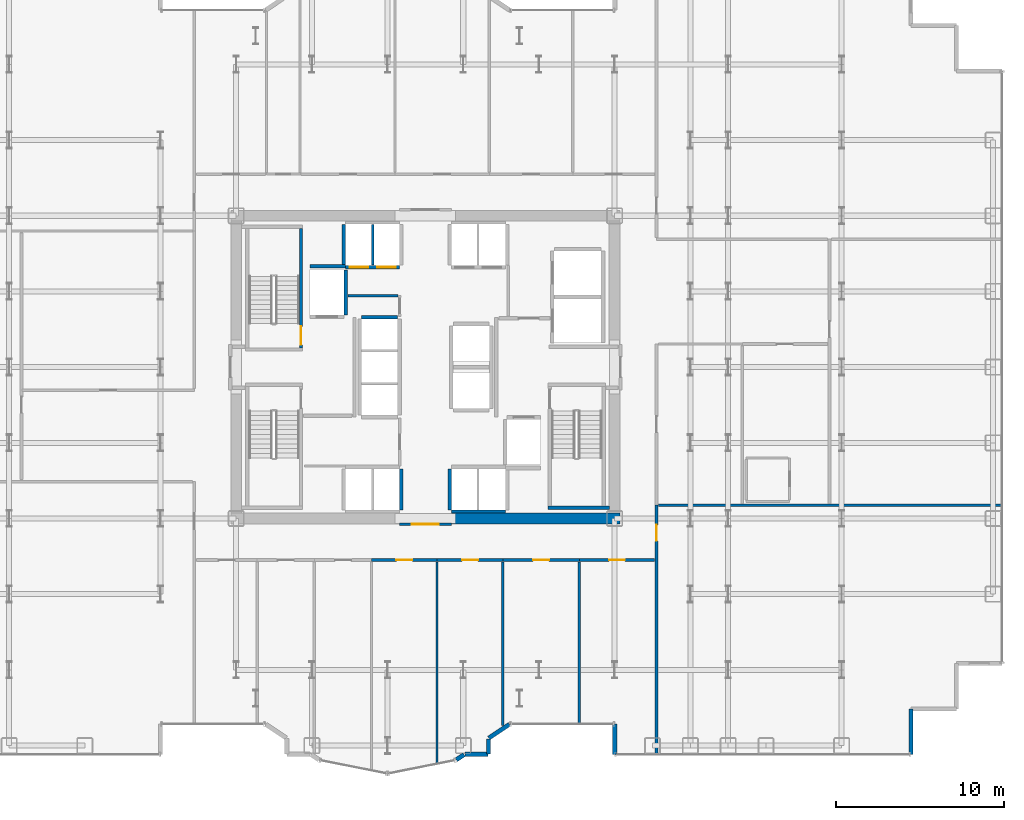
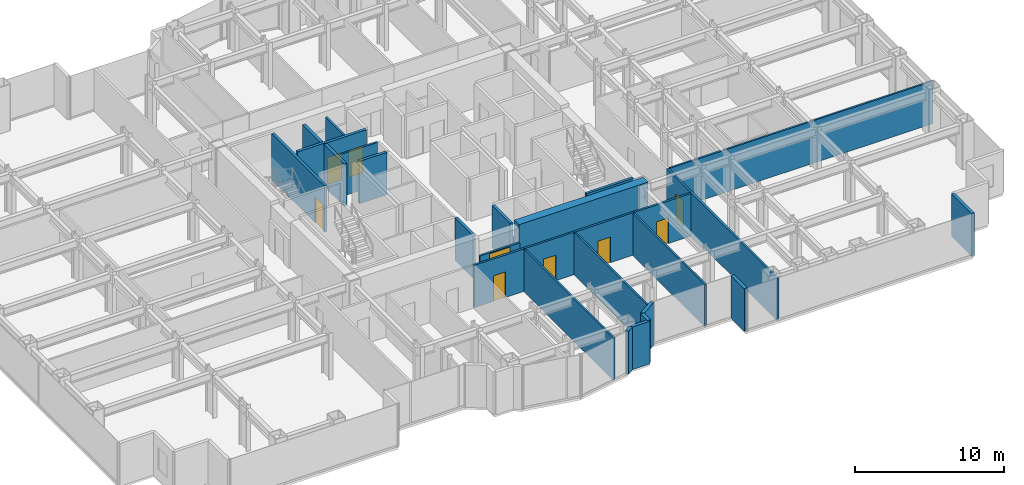
# One storey, part 21 of 26: 29 walls, 9 doors, 9 openings.
"""IFC4 building model written with IfcOpenShell, lengths in metres."""

from ifc_helpers import new_model, si_unit, direction, frame, frame_2d, origin, place, context, subcontext, project, spatial, rectangle, extrude, source, transform, mapped, material, layer, layer_set, type_object, element, fill, save


model = new_model("IFC4")

# Units and contexts
model_context = context("Model", 3, precision=1e-05, world=origin(), true_north=direction((0.0, 1.0)))
body_context = subcontext(model_context, "Body", "Model", "MODEL_VIEW")
ifc_project = project(units=[si_unit("LENGTHUNIT", "METRE"), si_unit("AREAUNIT", "SQUARE_METRE"), si_unit("VOLUMEUNIT", "CUBIC_METRE"), si_unit("PLANEANGLEUNIT", "RADIAN"), si_unit("MASSUNIT", "GRAM", prefix="KILO")], contexts=[model_context])

# Site, building, storey
site_placement = place(None, origin())
site = spatial("IfcSite", under=ifc_project, at=site_placement, CompositionType="ELEMENT")
building_placement = place(site_placement, origin())
building = spatial("IfcBuilding", under=site, at=building_placement, Name="Nefas-Gora Pilgrimage Tower", CompositionType="ELEMENT")
storey_placement = place(building_placement, frame((0.0, 0.0, 82.39990234375)))
storey = spatial("IfcBuildingStorey", under=building, at=storey_placement, Name="L19", CompositionType="ELEMENT", Elevation=82.39990234375)

# Walls
ifc_material_1 = material(Name="Concrete C60/75", Category="concrete")
ifc_layer_1 = layer(ifc_material_1, 0.64990234375)
ifc_layer_set_1 = layer_set([ifc_layer_1], Name="Concrete C60/75")
wall_type_1 = type_object("IfcWallType", Name="SW-CORE-650", PredefinedType="SHEAR", material=ifc_layer_set_1)
shared_shape_1 = source(origin(), body_context, "Body", "SweptSolid", [
    extrude(rectangle(XDim=10.02490234375, YDim=0.64990234375, at=frame_2d((5.012451171875, 0.0))), origin(), (0.0, 0.0, 1.0), 3.800048828125),
])
wall_1_placement = place(storey_placement, frame((1.550048828125, -9.0, 0.0), z_axis=(0.0, 0.0, 1.0), x_axis=(1.0, 0.0, 0.0)))
element("IfcWall", 1, at=wall_1_placement, inside=storey, type_object=wall_type_1, Name="L19 Core Shear Wall S-East", PredefinedType="SHEAR", context=body_context, shape_type="MappedRepresentation", body=[
    mapped(shared_shape_1, transform((0.0, 0.0, 0.0), x_axis=(1.0, 0.0, 0.0), y_axis=(0.0, 1.0, 0.0), z_axis=(0.0, 0.0, 1.0), scale=1.0)),
])
ifc_material_2 = material(Name="Precast concrete C40/50", Category="concrete")
ifc_layer_2 = layer(ifc_material_2, 0.260009765625)
ifc_layer_set_2 = layer_set([ifc_layer_2], Name="Precast concrete C40/50")
wall_type_2 = type_object("IfcWallType", Name="EW-PORTAL-260", PredefinedType="SOLIDWALL", material=ifc_layer_set_2)
shared_shape_2 = source(origin(), body_context, "Body", "SweptSolid", [
    extrude(rectangle(XDim=1.800048828125, YDim=0.260009765625, at=frame_2d((0.89990234375, 0.0))), origin(), (0.0, 0.0, 1.0), 3.5),
])
wall_2_placement = place(storey_placement, frame((11.25, -21.219970703125, 0.0), z_axis=(0.0, 0.0, 1.0), x_axis=(0.0, -1.0, 0.0)))
element("IfcWall", 2, at=wall_2_placement, inside=storey, type_object=wall_type_2, Name="L19 Lobe Shoulder Precast Spandrel Pier 1", PredefinedType="SOLIDWALL", context=body_context, shape_type="MappedRepresentation", body=[
    mapped(shared_shape_2, transform((0.0, 0.0, 0.0), x_axis=(1.0, 0.0, 0.0), y_axis=(0.0, 1.0, 0.0), z_axis=(0.0, 0.0, 1.0), scale=1.0)),
])
ifc_material_3 = material(Name="Precast concrete C45/55", Category="concrete")
ifc_layer_3 = layer(ifc_material_3, 0.239990234375)
ifc_layer_set_3 = layer_set([ifc_layer_3], Name="Precast concrete C45/55")
wall_type_3 = type_object("IfcWallType", Name="EW-SERR-240", PredefinedType="SHEAR", material=ifc_layer_set_3)
shared_shape_3 = source(origin(), body_context, "Body", "SweptSolid", [
    extrude(rectangle(XDim=2.699951171875, YDim=0.239990234375, at=frame_2d((1.35009765625, 0.0))), origin(), (0.0, 0.0, 1.0), 3.5),
])
wall_3_placement = place(storey_placement, frame((28.8701171875, -23.02001953125, 0.0), z_axis=(0.0, 0.0, 1.0), x_axis=(0.0, 1.0, 0.0)))
element("IfcWall", 3, at=wall_3_placement, inside=storey, type_object=wall_type_3, Name="L19 Serrated Corner Shear Pier Wall 2", PredefinedType="SHEAR", context=body_context, shape_type="MappedRepresentation", body=[
    mapped(shared_shape_3, transform((0.0, 0.0, 0.0), x_axis=(1.0, 0.0, 0.0), y_axis=(0.0, 1.0, 0.0), z_axis=(0.0, 0.0, 1.0), scale=1.0)),
])
shared_shape_4 = source(origin(), body_context, "Body", "SweptSolid", [
    extrude(rectangle(XDim=1.468994140625, YDim=0.260009765625, at=frame_2d((0.734375, 0.0))), origin(), (0.0, 0.0, 1.0), 3.5),
])
wall_4_placement = place(storey_placement, frame((3.773193359375, -22.0517578125, 0.0), z_axis=(0.0, 0.0, 1.0), x_axis=(0.831461760506, 0.555581983884, 0.0)))
element("IfcWall", 4, at=wall_4_placement, inside=storey, type_object=wall_type_2, Name="L19 Lobe Shoulder Precast Spandrel Pier 36", PredefinedType="SOLIDWALL", context=body_context, shape_type="MappedRepresentation", body=[
    mapped(shared_shape_4, transform((0.0, 0.0, 0.0), x_axis=(1.0, 0.0, 0.0), y_axis=(0.0, 1.0, 0.0), z_axis=(0.0, 0.0, 1.0), scale=1.0)),
])
shared_shape_5 = source(origin(), body_context, "Body", "SweptSolid", [
    extrude(rectangle(XDim=0.896728515625, YDim=0.260009765625, at=frame_2d((0.4482421875, 0.0))), origin(), (0.0, 0.0, 1.0), 3.5),
])
wall_5_placement = place(storey_placement, frame((3.75, -22.991943359375, 0.0), z_axis=(0.0, 0.0, 1.0), x_axis=(0.0, 1.0, 0.0)))
element("IfcWall", 5, at=wall_5_placement, inside=storey, type_object=wall_type_2, Name="L19 Lobe Shoulder Precast Spandrel Pier 35", PredefinedType="SOLIDWALL", context=body_context, shape_type="MappedRepresentation", body=[
    mapped(shared_shape_5, transform((0.0, 0.0, 0.0), x_axis=(1.0, 0.0, 0.0), y_axis=(0.0, 1.0, 0.0), z_axis=(0.0, 0.0, 1.0), scale=1.0)),
])
shared_shape_6 = source(origin(), body_context, "Body", "SweptSolid", [
    extrude(rectangle(XDim=1.369873046875, YDim=0.260009765625, at=frame_2d((0.68505859375, 0.0))), origin(), (0.0, 0.0, 1.0), 3.5),
])
wall_6_placement = place(storey_placement, frame((2.35205078125, -23.02001953125, 0.0), z_axis=(0.0, 0.0, 1.0), x_axis=(1.0, 0.0, 0.0)))
element("IfcWall", 6, at=wall_6_placement, inside=storey, type_object=wall_type_2, Name="L19 Lobe Shoulder Precast Spandrel Pier 34", PredefinedType="SOLIDWALL", context=body_context, shape_type="MappedRepresentation", body=[
    mapped(shared_shape_6, transform((0.0, 0.0, 0.0), x_axis=(1.0, 0.0, 0.0), y_axis=(0.0, 1.0, 0.0), z_axis=(0.0, 0.0, 1.0), scale=1.0)),
])
shared_shape_7 = source(origin(), body_context, "Body", "SweptSolid", [
    extrude(rectangle(XDim=0.5654296875, YDim=0.260009765625, at=frame_2d((0.28271484375, 0.0))), origin(), (0.0, 0.0, 1.0), 3.5),
])
wall_7_placement = place(storey_placement, frame((1.83056640625, -23.349609375, 0.0), z_axis=(0.0, 0.0, 1.0), x_axis=(0.831651492666, 0.555297933317, 0.0)))
element("IfcWall", 7, at=wall_7_placement, inside=storey, type_object=wall_type_2, Name="L19 Lobe Shoulder Precast Spandrel Pier 33", PredefinedType="SOLIDWALL", context=body_context, shape_type="MappedRepresentation", body=[
    mapped(shared_shape_7, transform((0.0, 0.0, 0.0), x_axis=(1.0, 0.0, 0.0), y_axis=(0.0, 1.0, 0.0), z_axis=(0.0, 0.0, 1.0), scale=1.0)),
])
ifc_material_4 = material(Name="Concrete C45/55", Category="concrete")
ifc_layer_4 = layer(ifc_material_4, 0.199951171875)
ifc_layer_set_4 = layer_set([ifc_layer_4], Name="Concrete C45/55")
wall_type_4 = type_object("IfcWallType", Name="IW-STAIR-200", PredefinedType="SOLIDWALL", material=ifc_layer_set_4)
shared_shape_8 = source(origin(), body_context, "Body", "SweptSolid", [
    extrude(rectangle(XDim=3.6298828125, YDim=0.199951171875, at=frame_2d((1.81494140625, 0.0))), origin(), (0.0, 0.0, 1.0), 3.800048828125),
])
wall_8_placement = place(storey_placement, frame((7.300048828125, -8.35009765625, 0.0), z_axis=(0.0, 0.0, 1.0), x_axis=(1.0, 0.0, 0.0)))
element("IfcWall", 8, at=wall_8_placement, inside=storey, type_object=wall_type_4, Name="L19 Stairwell Shear Wall ST-02-far", PredefinedType="SOLIDWALL", context=body_context, shape_type="MappedRepresentation", body=[
    mapped(shared_shape_8, transform((0.0, 0.0, 0.0), x_axis=(1.0, 0.0, 0.0), y_axis=(0.0, 1.0, 0.0), z_axis=(0.0, 0.0, 1.0), scale=1.0)),
])

# Wall, opening, door
shared_shape_9 = source(origin(), body_context, "Body", "SweptSolid", [
    extrude(rectangle(XDim=7.10009765625, YDim=0.199951171875, at=frame_2d((3.550048828125, 0.0))), origin(), (0.0, 0.0, 1.0), 3.800048828125),
])
wall_9_placement = place(storey_placement, frame((-7.39990234375, 1.14990234375, 0.0), z_axis=(0.0, 0.0, 1.0), x_axis=(0.0, 1.0, 0.0)))
wall_9 = element("IfcWall", 9, at=wall_9_placement, inside=storey, type_object=wall_type_4, Name="L19 Stairwell Shear Wall ST-01-left", PredefinedType="SOLIDWALL", context=body_context, shape_type="MappedRepresentation", body=[
    mapped(shared_shape_9, transform((0.0, 0.0, 0.0), x_axis=(1.0, 0.0, 0.0), y_axis=(0.0, 1.0, 0.0), z_axis=(0.0, 0.0, 1.0), scale=1.0)),
])
opening_1_placement = place(wall_9_placement, frame((0.179931640625, 0.0, 0.0)))
opening_1 = element("IfcOpeningElement", 10, at=opening_1_placement, cuts=wall_9, Name="Opening ID-ST1", PredefinedType="OPENING", context=body_context, shape_type="SweptSolid", body=[
    extrude(rectangle(XDim=1.10009765625, YDim=2.14990234375, at=frame_2d((0.550048828125, 1.074951171875))), frame((0.0, 0.10986328125, 0.0), z_axis=(0.0, -1.0, 0.0), x_axis=(1.0, 0.0, 0.0)), (0.0, 0.0, 1.0), 0.219970703125),
])
ifc_material_5 = material(Name="Painted galvanised steel fire stair door", Category="steel")
door_type_1 = type_object("IfcDoorType", Name="DR-INT-STAIR-1100", OperationType="NOTDEFINED", PredefinedType="DOOR", material=ifc_material_5)
shared_shape_10 = source(origin(), body_context, "Body", "SweptSolid", [
    extrude(rectangle(XDim=1.10009765625, YDim=2.14990234375, at=frame_2d((0.550048828125, 1.074951171875))), frame((0.0, 0.02490234375, 0.0), z_axis=(0.0, -1.0, 0.0), x_axis=(1.0, 0.0, 0.0)), (0.0, 0.0, 1.0), 0.050048828125),
])
door_1_placement = place(opening_1_placement, origin())
door_1 = element("IfcDoor", 11, at=door_1_placement, inside=storey, type_object=door_type_1, Name="L19 Protected Exit Stair Door ST-01", OperationType="SINGLE_SWING_LEFT", OverallHeight=2.14990234375, OverallWidth=1.10009765625, PredefinedType="DOOR", context=body_context, shape_type="MappedRepresentation", body=[
    mapped(shared_shape_10, transform((0.0, 0.0, 0.0), x_axis=(1.0, 0.0, 0.0), y_axis=(0.0, 1.0, 0.0), z_axis=(0.0, 0.0, 1.0), scale=1.0)),
])
fill(opening_1, door_1)

# Wall
ifc_material_6 = material(Name="Concrete C40/50", Category="concrete")
ifc_layer_5 = layer(ifc_material_6, 0.219970703125)
ifc_layer_set_5 = layer_set([ifc_layer_5], Name="Concrete C40/50")
wall_type_5 = type_object("IfcWallType", Name="IW-SHAFT-220", PredefinedType="SOLIDWALL", material=ifc_layer_set_5)
shared_shape_11 = source(origin(), body_context, "Body", "SweptSolid", [
    extrude(rectangle(XDim=2.679931640625, YDim=0.219970703125, at=frame_2d((1.33984375, 0.0))), origin(), (0.0, 0.0, 1.0), 3.485107421875),
])
wall_10_placement = place(storey_placement, frame((-4.739990234375, 3.110107421875, 0.0), z_axis=(0.0, 0.0, 1.0), x_axis=(0.0, 1.0, 0.0)))
element("IfcWall", 12, at=wall_10_placement, inside=storey, type_object=wall_type_5, Name="L19 Hoistway Wall FFL-01-E", PredefinedType="SOLIDWALL", context=body_context, shape_type="MappedRepresentation", body=[
    mapped(shared_shape_11, transform((0.0, 0.0, 0.0), x_axis=(1.0, 0.0, 0.0), y_axis=(0.0, 1.0, 0.0), z_axis=(0.0, 0.0, 1.0), scale=1.0)),
])

# Wall, openings, doors
shared_shape_12 = source(origin(), body_context, "Body", "SweptSolid", [
    extrude(rectangle(XDim=3.199951171875, YDim=0.219970703125, at=frame_2d((1.60009765625, 0.0))), origin(), (0.0, 0.0, 1.0), 3.485107421875),
])
wall_11_placement = place(storey_placement, frame((-4.75, 5.93994140625, 0.0), z_axis=(0.0, 0.0, 1.0), x_axis=(1.0, 0.0, 0.0)))
wall_11 = element("IfcWall", 13, at=wall_11_placement, inside=storey, type_object=wall_type_5, Name="L19 Hoistway Wall PL1-W-S", PredefinedType="SOLIDWALL", context=body_context, shape_type="MappedRepresentation", body=[
    mapped(shared_shape_12, transform((0.0, 0.0, 0.0), x_axis=(1.0, 0.0, 0.0), y_axis=(0.0, 1.0, 0.0), z_axis=(0.0, 0.0, 1.0), scale=1.0)),
])
opening_2_placement = place(wall_11_placement, frame((0.25, 0.0, 0.0)))
opening_2 = element("IfcOpeningElement", 14, at=opening_2_placement, cuts=wall_11, Name="Opening LD-01", PredefinedType="OPENING", context=body_context, shape_type="SweptSolid", body=[
    extrude(rectangle(XDim=1.10009765625, YDim=2.199951171875, at=frame_2d((0.550048828125, 1.10009765625))), frame((0.0, 0.119873046875, 0.0), z_axis=(0.0, -1.0, 0.0), x_axis=(1.0, 0.0, 0.0)), (0.0, 0.0, 1.0), 0.239990234375),
])
opening_3_placement = place(wall_11_placement, frame((1.875, 0.0, 0.0)))
opening_3 = element("IfcOpeningElement", 15, at=opening_3_placement, cuts=wall_11, Name="Opening LD-01", PredefinedType="OPENING", context=body_context, shape_type="SweptSolid", body=[
    extrude(rectangle(XDim=1.10009765625, YDim=2.199951171875, at=frame_2d((0.550048828125, 1.10009765625))), frame((0.0, 0.119873046875, 0.0), z_axis=(0.0, -1.0, 0.0), x_axis=(1.0, 0.0, 0.0)), (0.0, 0.0, 1.0), 0.239990234375),
])
ifc_material_7 = material(Name="Brushed stainless sliding lift landing door")
door_type_2 = type_object("IfcDoorType", Name="DR-LIFT-PASS-1100", OperationType="DOUBLE_DOOR_SLIDING", PredefinedType="DOOR", material=ifc_material_7)
shared_shape_13 = source(origin(), body_context, "Body", "SweptSolid", [
    extrude(rectangle(XDim=1.10009765625, YDim=2.199951171875, at=frame_2d((0.550048828125, 1.10009765625))), frame((0.0, 0.02490234375, 0.0), z_axis=(0.0, -1.0, 0.0), x_axis=(1.0, 0.0, 0.0)), (0.0, 0.0, 1.0), 0.050048828125),
])
door_2_placement = place(opening_2_placement, origin())
door_2 = element("IfcDoor", 16, at=door_2_placement, inside=storey, type_object=door_type_2, Name="L19 Sliding Lift Landing Door PL1-01", OperationType="DOUBLE_DOOR_SLIDING", OverallHeight=2.199951171875, OverallWidth=1.10009765625, PredefinedType="DOOR", context=body_context, shape_type="MappedRepresentation", body=[
    mapped(shared_shape_13, transform((0.0, 0.0, 0.0), x_axis=(1.0, 0.0, 0.0), y_axis=(0.0, 1.0, 0.0), z_axis=(0.0, 0.0, 1.0), scale=1.0)),
])
fill(opening_2, door_2)
door_3_placement = place(opening_3_placement, origin())
door_3 = element("IfcDoor", 17, at=door_3_placement, inside=storey, type_object=door_type_2, Name="L19 Sliding Lift Landing Door PL1-02", OperationType="DOUBLE_DOOR_SLIDING", OverallHeight=2.199951171875, OverallWidth=1.10009765625, PredefinedType="DOOR", context=body_context, shape_type="MappedRepresentation", body=[
    mapped(shared_shape_13, transform((0.0, 0.0, 0.0), x_axis=(1.0, 0.0, 0.0), y_axis=(0.0, 1.0, 0.0), z_axis=(0.0, 0.0, 1.0), scale=1.0)),
])
fill(opening_3, door_3)

# Walls
ifc_material_8 = material(Name="Gypsum acoustic stud partition")
ifc_layer_6 = layer(ifc_material_8, 0.159912109375)
ifc_layer_set_6 = layer_set([ifc_layer_6], Name="Gypsum acoustic stud partition")
wall_type_6 = type_object("IfcWallType", Name="IW-CORR-160", PredefinedType="PARTITIONING", material=ifc_layer_set_6)
shared_shape_14 = source(origin(), body_context, "Body", "SweptSolid", [
    extrude(rectangle(XDim=3.199951171875, YDim=0.159912109375, at=frame_2d((1.60009765625, 0.0))), origin(), (0.0, 0.0, 1.0), 2.375),
])
wall_12_placement = place(storey_placement, frame((1.550048828125, -8.580078125, 0.0), z_axis=(0.0, 0.0, 1.0), x_axis=(1.0, 0.0, 0.0)))
element("IfcWall", 18, at=wall_12_placement, inside=storey, type_object=wall_type_6, Name="L19 Hoistway Wall PL2-E-S", PredefinedType="PARTITIONING", context=body_context, shape_type="MappedRepresentation", body=[
    mapped(shared_shape_14, transform((0.0, 0.0, 0.0), x_axis=(1.0, 0.0, 0.0), y_axis=(0.0, 1.0, 0.0), z_axis=(0.0, 0.0, 1.0), scale=1.0)),
])
shared_shape_15 = source(origin(), body_context, "Body", "SweptSolid", [
    extrude(rectangle(XDim=2.429931640625, YDim=0.219970703125, at=frame_2d((1.21484375, 0.0))), origin(), (0.0, 0.0, 1.0), 3.485107421875),
])
for number, where, z_axis, x_axis, name in (
    (19, (-4.860107421875, 8.489990234375, 0.0), (0.0, 0.0, 1.0), (0.0, -1.0, 0.0), "L19 Hoistway Wall PL1-W-W"),
    (20, (-1.43994140625, -8.489990234375, 0.0), (0.0, 0.0, 1.0), (0.0, 1.0, 0.0), "L19 Hoistway Wall PL2-W-E"),
    (21, (1.43994140625, -6.06005859375, 0.0), (0.0, 0.0, 1.0), (0.0, -1.0, 0.0), "L19 Hoistway Wall PL2-E-W"),
):
    element("IfcWall", number, at=place(storey_placement, frame(where, z_axis=z_axis, x_axis=x_axis)), inside=storey, type_object=wall_type_5, Name=name, PredefinedType="SOLIDWALL", context=body_context, shape_type="MappedRepresentation", body=[
        mapped(shared_shape_15, transform((0.0, 0.0, 0.0), x_axis=(1.0, 0.0, 0.0), y_axis=(0.0, 1.0, 0.0), z_axis=(0.0, 0.0, 1.0), scale=1.0)),
    ])
ifc_material_9 = material(Name="Gypsum twin-stud partition")
ifc_layer_7 = layer(ifc_material_9, 0.139892578125)
ifc_layer_set_7 = layer_set([ifc_layer_7], Name="Gypsum twin-stud partition")
wall_type_7 = type_object("IfcWallType", Name="IW-UNIT-140", PredefinedType="PARTITIONING", material=ifc_layer_set_7)
shared_shape_16 = source(origin(), body_context, "Body", "SweptSolid", [
    extrude(rectangle(XDim=2.429931640625, YDim=0.139892578125, at=frame_2d((1.21484375, 0.0))), origin(), (0.0, 0.0, 1.0), 3.485107421875),
])
wall_13_placement = place(storey_placement, frame((-3.125, 6.06005859375, 0.0), z_axis=(0.0, 0.0, 1.0), x_axis=(0.0, 1.0, 0.0)))
element("IfcWall", 22, at=wall_13_placement, inside=storey, type_object=wall_type_7, Name="L19 Hoistway Wall PL1-W-DIV", PredefinedType="PARTITIONING", context=body_context, shape_type="MappedRepresentation", body=[
    mapped(shared_shape_16, transform((0.0, 0.0, 0.0), x_axis=(1.0, 0.0, 0.0), y_axis=(0.0, 1.0, 0.0), z_axis=(0.0, 0.0, 1.0), scale=1.0)),
])
shared_shape_17 = source(origin(), body_context, "Body", "SweptSolid", [
    extrude(rectangle(XDim=2.130126953125, YDim=0.219970703125, at=frame_2d((1.06494140625, 0.0))), origin(), (0.0, 0.0, 1.0), 3.485107421875),
])
wall_14_placement = place(storey_placement, frame((-1.659912109375, 2.9599609375, 0.0), z_axis=(0.0, 0.0, 1.0), x_axis=(-1.0, 0.0, 0.0)))
element("IfcWall", 23, at=wall_14_placement, inside=storey, type_object=wall_type_5, Name="L19 Hoistway Wall PL3-03-N", PredefinedType="SOLIDWALL", context=body_context, shape_type="MappedRepresentation", body=[
    mapped(shared_shape_17, transform((0.0, 0.0, 0.0), x_axis=(1.0, 0.0, 0.0), y_axis=(0.0, 1.0, 0.0), z_axis=(0.0, 0.0, 1.0), scale=1.0)),
])
shared_shape_18 = source(origin(), body_context, "Body", "SweptSolid", [
    extrude(rectangle(XDim=2.09521484375, YDim=0.219970703125, at=frame_2d((1.047607421875, 0.0))), origin(), (0.0, 0.0, 1.0), 3.485107421875),
])
wall_15_placement = place(storey_placement, frame((-6.85009765625, 6.0, 0.0), z_axis=(0.0, 0.0, 1.0), x_axis=(1.0, 0.0, 0.0)))
element("IfcWall", 24, at=wall_15_placement, inside=storey, type_object=wall_type_5, Name="L19 Riser Shaft Wall 1", PredefinedType="SOLIDWALL", context=body_context, shape_type="MappedRepresentation", body=[
    mapped(shared_shape_18, transform((0.0, 0.0, 0.0), x_axis=(1.0, 0.0, 0.0), y_axis=(0.0, 1.0, 0.0), z_axis=(0.0, 0.0, 1.0), scale=1.0)),
])

# Wall, opening, door
shared_shape_19 = source(origin(), body_context, "Body", "SweptSolid", [
    extrude(rectangle(XDim=3.08984375, YDim=0.159912109375, at=frame_2d((1.544921875, 0.0))), origin(), (0.0, 0.0, 1.0), 2.375),
])
wall_16_placement = place(storey_placement, frame((-1.544921875, -9.35009765625, 0.0), z_axis=(0.0, 0.0, 1.0), x_axis=(1.0, 0.0, 0.0)))
wall_16 = element("IfcWall", 25, at=wall_16_placement, inside=storey, type_object=wall_type_6, Name="L19 Central Lift Lobby South Portal Wall 14", PredefinedType="PARTITIONING", context=body_context, shape_type="MappedRepresentation", body=[
    mapped(shared_shape_19, transform((0.0, 0.0, 0.0), x_axis=(1.0, 0.0, 0.0), y_axis=(0.0, 1.0, 0.0), z_axis=(0.0, 0.0, 1.0), scale=1.0)),
])
opening_4_placement = place(wall_16_placement, frame((0.7451171875, 0.0, 0.0)))
opening_4 = element("IfcOpeningElement", 26, at=opening_4_placement, cuts=wall_16, Name="Opening ID-HL1", PredefinedType="OPENING", context=body_context, shape_type="SweptSolid", body=[
    extrude(rectangle(XDim=1.60009765625, YDim=2.300048828125, at=frame_2d((0.800048828125, 1.14990234375))), frame((0.0, 0.08984375, 0.0), z_axis=(0.0, -1.0, 0.0), x_axis=(1.0, 0.0, 0.0)), (0.0, 0.0, 1.0), 0.179931640625),
])
ifc_material_10 = material(Name="Double acoustic timber assembly hall door", Category="wood")
door_type_3 = type_object("IfcDoorType", Name="DR-INT-HALL-1600", OperationType="DOUBLE_DOOR_SINGLE_SWING", PredefinedType="DOOR", material=ifc_material_10)
shared_shape_20 = source(origin(), body_context, "Body", "SweptSolid", [
    extrude(rectangle(XDim=1.60009765625, YDim=2.300048828125, at=frame_2d((0.800048828125, 1.14990234375))), frame((0.0, 0.02490234375, 0.0), z_axis=(0.0, -1.0, 0.0), x_axis=(1.0, 0.0, 0.0)), (0.0, 0.0, 1.0), 0.050048828125),
])
door_4_placement = place(opening_4_placement, origin())
door_4 = element("IfcDoor", 27, at=door_4_placement, inside=storey, type_object=door_type_3, Name="L19 Central Lift Lobby South Portal Door 5", OperationType="DOUBLE_DOOR_SINGLE_SWING", OverallHeight=2.300048828125, OverallWidth=1.60009765625, PredefinedType="DOOR", context=body_context, shape_type="MappedRepresentation", body=[
    mapped(shared_shape_20, transform((0.0, 0.0, 0.0), x_axis=(1.0, 0.0, 0.0), y_axis=(0.0, 1.0, 0.0), z_axis=(0.0, 0.0, 1.0), scale=1.0)),
])
fill(opening_4, door_4)

# Walls
shared_shape_21 = source(origin(), body_context, "Body", "SweptSolid", [
    extrude(rectangle(XDim=2.9501953125, YDim=0.139892578125, at=frame_2d((1.47509765625, 0.0))), origin(), (0.0, 0.0, 1.0), 3.485107421875),
])
wall_17_placement = place(storey_placement, frame((-4.590087890625, 4.25, 0.0), z_axis=(0.0, 0.0, 1.0), x_axis=(1.0, 0.0, 0.0)))
element("IfcWall", 28, at=wall_17_placement, inside=storey, type_object=wall_type_7, Name="L19 Housekeeping and Linen Store Partition Wall 21", PredefinedType="PARTITIONING", context=body_context, shape_type="MappedRepresentation", body=[
    mapped(shared_shape_21, transform((0.0, 0.0, 0.0), x_axis=(1.0, 0.0, 0.0), y_axis=(0.0, 1.0, 0.0), z_axis=(0.0, 0.0, 1.0), scale=1.0)),
])
shared_shape_22 = source(origin(), body_context, "Body", "SweptSolid", [
    extrude(rectangle(XDim=20.429931640625, YDim=0.139892578125, at=frame_2d((10.21484375, 0.0))), origin(), (0.0, 0.0, 1.0), 3.485107421875),
])
wall_18_placement = place(storey_placement, frame((13.860107421875, -8.205078125, 0.0), z_axis=(0.0, 0.0, 1.0), x_axis=(1.0, 0.0, 0.0)))
element("IfcWall", 29, at=wall_18_placement, inside=storey, type_object=wall_type_7, Name="L19 Pilgrim Fellowship Seminar Room Partition Wall 35", PredefinedType="PARTITIONING", context=body_context, shape_type="MappedRepresentation", body=[
    mapped(shared_shape_22, transform((0.0, 0.0, 0.0), x_axis=(1.0, 0.0, 0.0), y_axis=(0.0, 1.0, 0.0), z_axis=(0.0, 0.0, 1.0), scale=1.0)),
])

# Wall, opening, door
shared_shape_23 = source(origin(), body_context, "Body", "SweptSolid", [
    extrude(rectangle(XDim=14.844970703125, YDim=0.159912109375, at=frame_2d((7.42236328125, 0.0))), origin(), (0.0, 0.0, 1.0), 3.485107421875),
])
wall_19_placement = place(storey_placement, frame((13.739990234375, -23.0400390625, 0.0), z_axis=(0.0, 0.0, 1.0), x_axis=(0.0, 1.0, 0.0)))
wall_19 = element("IfcWall", 30, at=wall_19_placement, inside=storey, type_object=wall_type_6, Name="L19 Pilgrim Fellowship Seminar Room Partition Wall 34", PredefinedType="PARTITIONING", context=body_context, shape_type="MappedRepresentation", body=[
    mapped(shared_shape_23, transform((0.0, 0.0, 0.0), x_axis=(1.0, 0.0, 0.0), y_axis=(0.0, 1.0, 0.0), z_axis=(0.0, 0.0, 1.0), scale=1.0)),
])
opening_5_placement = place(wall_19_placement, frame((12.71240234375, 0.0, 0.0)))
opening_5 = element("IfcOpeningElement", 31, at=opening_5_placement, cuts=wall_19, Name="Opening ID-GR1", PredefinedType="OPENING", context=body_context, shape_type="SweptSolid", body=[
    extrude(rectangle(XDim=0.949951171875, YDim=2.10009765625, at=frame_2d((0.47509765625, 1.050048828125))), frame((0.0, 0.08984375, 0.0), z_axis=(0.0, -1.0, 0.0), x_axis=(1.0, 0.0, 0.0)), (0.0, 0.0, 1.0), 0.179931640625),
])
ifc_material_11 = material(Name="Solid core oak fire-rated guest entrance door")
door_type_4 = type_object("IfcDoorType", Name="DR-INT-GUEST-950", OperationType="NOTDEFINED", PredefinedType="DOOR", material=ifc_material_11)
shared_shape_24 = source(origin(), body_context, "Body", "SweptSolid", [
    extrude(rectangle(XDim=0.949951171875, YDim=2.10009765625, at=frame_2d((0.47509765625, 1.050048828125))), frame((0.0, 0.02490234375, 0.0), z_axis=(0.0, -1.0, 0.0), x_axis=(1.0, 0.0, 0.0)), (0.0, 0.0, 1.0), 0.050048828125),
])
door_5_placement = place(opening_5_placement, origin())
door_5 = element("IfcDoor", 32, at=door_5_placement, inside=storey, type_object=door_type_4, Name="L19 Pilgrim Fellowship Seminar Room Door 14", OperationType="SINGLE_SWING_LEFT", OverallHeight=2.10009765625, OverallWidth=0.949951171875, PredefinedType="DOOR", context=body_context, shape_type="MappedRepresentation", body=[
    mapped(shared_shape_24, transform((0.0, 0.0, 0.0), x_axis=(1.0, 0.0, 0.0), y_axis=(0.0, 1.0, 0.0), z_axis=(0.0, 0.0, 1.0), scale=1.0)),
])
fill(opening_5, door_5)

# Wall
shared_shape_25 = source(origin(), body_context, "Body", "SweptSolid", [
    extrude(rectangle(XDim=9.64990234375, YDim=0.139892578125, at=frame_2d((4.824951171875, 0.0))), origin(), (0.0, 0.0, 1.0), 3.485107421875),
])
wall_20_placement = place(storey_placement, frame((9.14990234375, -21.239990234375, 0.0), z_axis=(0.0, 0.0, 1.0), x_axis=(0.0, 1.0, 0.0)))
element("IfcWall", 33, at=wall_20_placement, inside=storey, type_object=wall_type_7, Name="L19 Pilgrim Contemplative Lounge Partition Wall 63", PredefinedType="PARTITIONING", context=body_context, shape_type="MappedRepresentation", body=[
    mapped(shared_shape_25, transform((0.0, 0.0, 0.0), x_axis=(1.0, 0.0, 0.0), y_axis=(0.0, 1.0, 0.0), z_axis=(0.0, 0.0, 1.0), scale=1.0)),
])

# Wall, opening, door
shared_shape_26 = source(origin(), body_context, "Body", "SweptSolid", [
    extrude(rectangle(XDim=3.905029296875, YDim=0.159912109375, at=frame_2d((1.95263671875, 0.0))), origin(), (0.0, 0.0, 1.0), 3.485107421875),
])
wall_21_placement = place(storey_placement, frame((-3.205078125, -11.469970703125, 0.0), z_axis=(0.0, 0.0, 1.0), x_axis=(1.0, 0.0, 0.0)))
wall_21 = element("IfcWall", 34, at=wall_21_placement, inside=storey, type_object=wall_type_6, Name="L19 Pilgrim Contemplative Lounge Partition Wall 58", PredefinedType="PARTITIONING", context=body_context, shape_type="MappedRepresentation", body=[
    mapped(shared_shape_26, transform((0.0, 0.0, 0.0), x_axis=(1.0, 0.0, 0.0), y_axis=(0.0, 1.0, 0.0), z_axis=(0.0, 0.0, 1.0), scale=1.0)),
])
opening_6_placement = place(wall_21_placement, frame((1.4775390625, 0.0, 0.0)))
opening_6 = element("IfcOpeningElement", 35, at=opening_6_placement, cuts=wall_21, Name="Opening ID-GR1", PredefinedType="OPENING", context=body_context, shape_type="SweptSolid", body=[
    extrude(rectangle(XDim=0.949951171875, YDim=2.10009765625, at=frame_2d((0.47509765625, 1.050048828125))), frame((0.0, 0.08984375, 0.0), z_axis=(0.0, -1.0, 0.0), x_axis=(1.0, 0.0, 0.0)), (0.0, 0.0, 1.0), 0.179931640625),
])
door_6_placement = place(opening_6_placement, origin())
door_6 = element("IfcDoor", 36, at=door_6_placement, inside=storey, type_object=door_type_4, Name="L19 Pilgrim Contemplative Lounge Door 27", OperationType="SINGLE_SWING_RIGHT", OverallHeight=2.10009765625, OverallWidth=0.949951171875, PredefinedType="DOOR", context=body_context, shape_type="MappedRepresentation", body=[
    mapped(shared_shape_24, transform((0.0, 0.0, 0.0), x_axis=(1.0, 0.0, 0.0), y_axis=(0.0, 1.0, 0.0), z_axis=(0.0, 0.0, 1.0), scale=1.0)),
])
fill(opening_6, door_6)

wall_22_placement = place(storey_placement, frame((0.699951171875, -11.469970703125, 0.0), z_axis=(0.0, 0.0, 1.0), x_axis=(1.0, 0.0, 0.0)))
wall_22 = element("IfcWall", 37, at=wall_22_placement, inside=storey, type_object=wall_type_6, Name="L19 Pilgrim Contemplative Lounge Partition Wall 60", PredefinedType="PARTITIONING", context=body_context, shape_type="MappedRepresentation", body=[
    mapped(shared_shape_26, transform((0.0, 0.0, 0.0), x_axis=(1.0, 0.0, 0.0), y_axis=(0.0, 1.0, 0.0), z_axis=(0.0, 0.0, 1.0), scale=1.0)),
])
opening_7_placement = place(wall_22_placement, frame((1.4775390625, 0.0, 0.0)))
opening_7 = element("IfcOpeningElement", 38, at=opening_7_placement, cuts=wall_22, Name="Opening ID-GR1", PredefinedType="OPENING", context=body_context, shape_type="SweptSolid", body=[
    extrude(rectangle(XDim=0.949951171875, YDim=2.10009765625, at=frame_2d((0.47509765625, 1.050048828125))), frame((0.0, 0.08984375, 0.0), z_axis=(0.0, -1.0, 0.0), x_axis=(1.0, 0.0, 0.0)), (0.0, 0.0, 1.0), 0.179931640625),
])
door_7_placement = place(opening_7_placement, origin())
door_7 = element("IfcDoor", 39, at=door_7_placement, inside=storey, type_object=door_type_4, Name="L19 Pilgrim Contemplative Lounge Door 28", OperationType="SINGLE_SWING_LEFT", OverallHeight=2.10009765625, OverallWidth=0.949951171875, PredefinedType="DOOR", context=body_context, shape_type="MappedRepresentation", body=[
    mapped(shared_shape_24, transform((0.0, 0.0, 0.0), x_axis=(1.0, 0.0, 0.0), y_axis=(0.0, 1.0, 0.0), z_axis=(0.0, 0.0, 1.0), scale=1.0)),
])
fill(opening_7, door_7)

# Walls
shared_shape_27 = source(origin(), body_context, "Body", "SweptSolid", [
    extrude(rectangle(XDim=12.017822265625, YDim=0.139892578125, at=frame_2d((6.0087890625, 0.0))), origin(), (0.0, 0.0, 1.0), 3.485107421875),
])
wall_23_placement = place(storey_placement, frame((0.68994140625, -23.60791015625, 0.0), z_axis=(0.0, 0.0, 1.0), x_axis=(0.0, 1.0, 0.0)))
element("IfcWall", 40, at=wall_23_placement, inside=storey, type_object=wall_type_7, Name="L19 Pilgrim Contemplative Lounge Partition Wall 59", PredefinedType="PARTITIONING", context=body_context, shape_type="MappedRepresentation", body=[
    mapped(shared_shape_27, transform((0.0, 0.0, 0.0), x_axis=(1.0, 0.0, 0.0), y_axis=(0.0, 1.0, 0.0), z_axis=(0.0, 0.0, 1.0), scale=1.0)),
])
shared_shape_28 = source(origin(), body_context, "Body", "SweptSolid", [
    extrude(rectangle(XDim=9.71044921875, YDim=0.139892578125, at=frame_2d((4.855224609375, 0.0))), origin(), (0.0, 0.0, 1.0), 3.485107421875),
])
wall_24_placement = place(storey_placement, frame((4.594970703125, -21.300537109375, 0.0), z_axis=(0.0, 0.0, 1.0), x_axis=(0.0, 1.0, 0.0)))
element("IfcWall", 41, at=wall_24_placement, inside=storey, type_object=wall_type_7, Name="L19 Pilgrim Contemplative Lounge Partition Wall 61", PredefinedType="PARTITIONING", context=body_context, shape_type="MappedRepresentation", body=[
    mapped(shared_shape_28, transform((0.0, 0.0, 0.0), x_axis=(1.0, 0.0, 0.0), y_axis=(0.0, 1.0, 0.0), z_axis=(0.0, 0.0, 1.0), scale=1.0)),
])

# Wall, opening, door
shared_shape_29 = source(origin(), body_context, "Body", "SweptSolid", [
    extrude(rectangle(XDim=4.56494140625, YDim=0.159912109375, at=frame_2d((2.282470703125, 0.0))), origin(), (0.0, 0.0, 1.0), 3.485107421875),
])
wall_25_placement = place(storey_placement, frame((4.594970703125, -11.469970703125, 0.0), z_axis=(0.0, 0.0, 1.0), x_axis=(1.0, 0.0, 0.0)))
wall_25 = element("IfcWall", 42, at=wall_25_placement, inside=storey, type_object=wall_type_6, Name="L19 Pilgrim Contemplative Lounge Partition Wall 62", PredefinedType="PARTITIONING", context=body_context, shape_type="MappedRepresentation", body=[
    mapped(shared_shape_29, transform((0.0, 0.0, 0.0), x_axis=(1.0, 0.0, 0.0), y_axis=(0.0, 1.0, 0.0), z_axis=(0.0, 0.0, 1.0), scale=1.0)),
])
opening_8_placement = place(wall_25_placement, frame((1.8076171875, 0.0, 0.0)))
opening_8 = element("IfcOpeningElement", 43, at=opening_8_placement, cuts=wall_25, Name="Opening ID-GR1", PredefinedType="OPENING", context=body_context, shape_type="SweptSolid", body=[
    extrude(rectangle(XDim=0.949951171875, YDim=2.10009765625, at=frame_2d((0.47509765625, 1.050048828125))), frame((0.0, 0.08984375, 0.0), z_axis=(0.0, -1.0, 0.0), x_axis=(1.0, 0.0, 0.0)), (0.0, 0.0, 1.0), 0.179931640625),
])
door_8_placement = place(opening_8_placement, origin())
door_8 = element("IfcDoor", 44, at=door_8_placement, inside=storey, type_object=door_type_4, Name="L19 Pilgrim Contemplative Lounge Door 29", OperationType="SINGLE_SWING_RIGHT", OverallHeight=2.10009765625, OverallWidth=0.949951171875, PredefinedType="DOOR", context=body_context, shape_type="MappedRepresentation", body=[
    mapped(shared_shape_24, transform((0.0, 0.0, 0.0), x_axis=(1.0, 0.0, 0.0), y_axis=(0.0, 1.0, 0.0), z_axis=(0.0, 0.0, 1.0), scale=1.0)),
])
fill(opening_8, door_8)

shared_shape_30 = source(origin(), body_context, "Body", "SweptSolid", [
    extrude(rectangle(XDim=4.460205078125, YDim=0.159912109375, at=frame_2d((2.22998046875, 0.0))), origin(), (0.0, 0.0, 1.0), 3.485107421875),
])
wall_26_placement = place(storey_placement, frame((9.159912109375, -11.469970703125, 0.0), z_axis=(0.0, 0.0, 1.0), x_axis=(1.0, 0.0, 0.0)))
wall_26 = element("IfcWall", 45, at=wall_26_placement, inside=storey, type_object=wall_type_6, Name="L19 Pilgrim Contemplative Lounge Partition Wall 64", PredefinedType="PARTITIONING", context=body_context, shape_type="MappedRepresentation", body=[
    mapped(shared_shape_30, transform((0.0, 0.0, 0.0), x_axis=(1.0, 0.0, 0.0), y_axis=(0.0, 1.0, 0.0), z_axis=(0.0, 0.0, 1.0), scale=1.0)),
])
opening_9_placement = place(wall_26_placement, frame((1.7548828125, 0.0, 0.0)))
opening_9 = element("IfcOpeningElement", 46, at=opening_9_placement, cuts=wall_26, Name="Opening ID-GR1", PredefinedType="OPENING", context=body_context, shape_type="SweptSolid", body=[
    extrude(rectangle(XDim=0.949951171875, YDim=2.10009765625, at=frame_2d((0.47509765625, 1.050048828125))), frame((0.0, 0.08984375, 0.0), z_axis=(0.0, -1.0, 0.0), x_axis=(1.0, 0.0, 0.0)), (0.0, 0.0, 1.0), 0.179931640625),
])
door_9_placement = place(opening_9_placement, origin())
door_9 = element("IfcDoor", 47, at=door_9_placement, inside=storey, type_object=door_type_4, Name="L19 Pilgrim Contemplative Lounge Door 30", OperationType="SINGLE_SWING_LEFT", OverallHeight=2.10009765625, OverallWidth=0.949951171875, PredefinedType="DOOR", context=body_context, shape_type="MappedRepresentation", body=[
    mapped(shared_shape_24, transform((0.0, 0.0, 0.0), x_axis=(1.0, 0.0, 0.0), y_axis=(0.0, 1.0, 0.0), z_axis=(0.0, 0.0, 1.0), scale=1.0)),
])
fill(opening_9, door_9)

save(model, "model.ifc")
